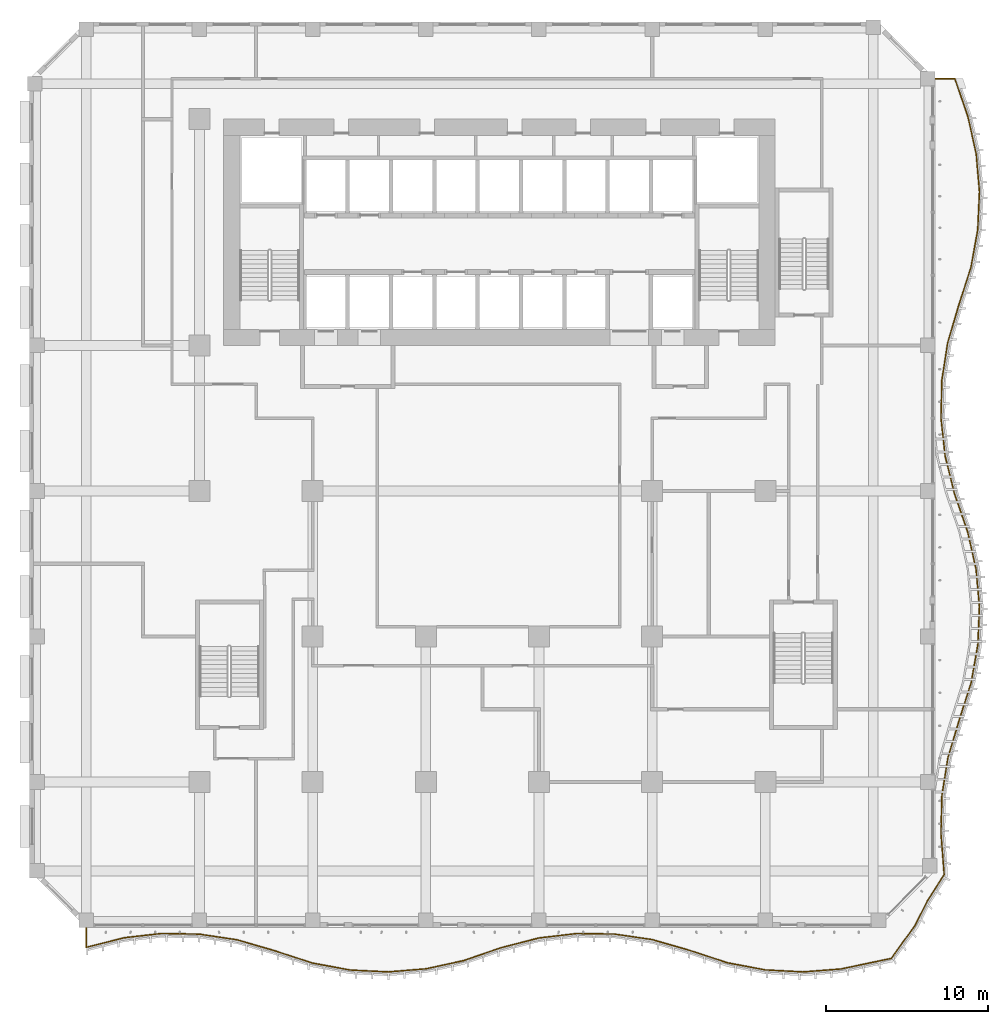
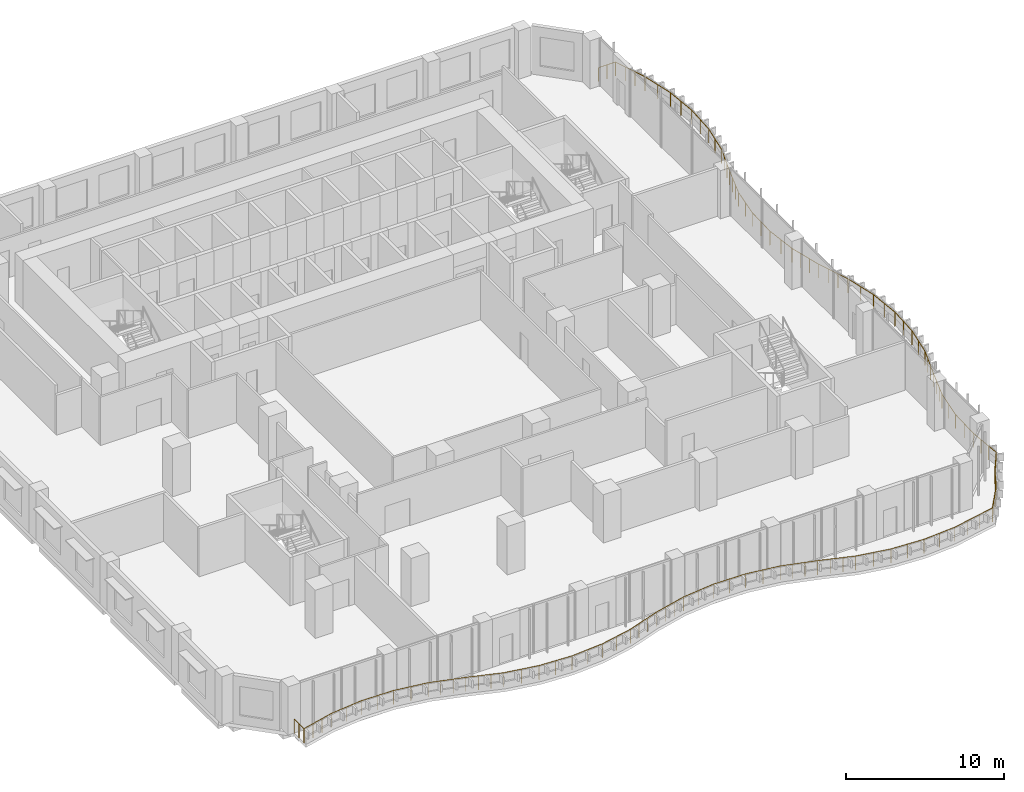
# One storey, part 20 of 24: 1 railing.
"""IFC4 building model written with IfcOpenShell, lengths in metres."""

import ifcopenshell
import ifcopenshell.guid

model = None  # the IFC model being written
_history = None  # IfcOwnerHistory: only IFC2X3 demands one
_inside = {}  # id of a spatial element -> (the spatial element, [elements in it])
_under = {}  # id of a project, library or spatial element -> (it, [spatial elements below it])
_declared = {}  # id of a project -> (the project, [libraries it declares])
_typed = {}  # id of a type object -> (the type object, [elements of that type])
_made_of = {}  # id of a material, layer set ... -> (it, [elements and type objects made of it])


def new_model(schema):
    """Start an empty IFC model of exactly this schema.

    Asked for "IFC4X3", IfcOpenShell would pick the latest addendum, in which some entities
    have other attributes; the version numbers below select the first issue.
    IFC2X3 requires an IfcOwnerHistory on every rooted entity: one is made here for all.
    """
    global model, _history
    if schema == "IFC4X3":
        model = ifcopenshell.file(schema_version=(4, 3, 0, 0))
    else:
        model = ifcopenshell.file(schema=schema)
    _inside.clear()
    _under.clear()
    _declared.clear()
    _typed.clear()
    _made_of.clear()
    _history = None
    if model.schema == "IFC2X3":
        org = make("IfcOrganization", Name="unknown")
        user = make(
            "IfcPersonAndOrganization",
            ThePerson=make("IfcPerson", FamilyName="unknown"),
            TheOrganization=org,
        )
        app = make(
            "IfcApplication",
            ApplicationDeveloper=org,
            Version="unknown",
            ApplicationFullName="unknown",
            ApplicationIdentifier="unknown",
        )
        _history = make(
            "IfcOwnerHistory",
            OwningUser=user,
            OwningApplication=app,
            ChangeAction="ADDED",
            CreationDate=0,
        )
    return model


def make(cls, **values):
    """One entity of the class cls with the attributes given. An attribute that is None is left unset."""
    return model.create_entity(
        cls, **{name: value for name, value in values.items() if value is not None}
    )


def rooted(cls, **values):
    """An entity with a GlobalId (a new one), such as an element, a storey or a relation."""
    return make(cls, GlobalId=ifcopenshell.guid.new(), OwnerHistory=_history, **values)


def si_unit(unit_type, name, prefix=None):
    """IfcSIUnit, for example si_unit("LENGTHUNIT", "METRE", prefix="MILLI")."""
    return make("IfcSIUnit", UnitType=unit_type, Prefix=prefix, Name=name)


def assignment(units):
    """IfcUnitAssignment: the units of a project."""
    return None if units is None else make("IfcUnitAssignment", Units=units)


def point(xyz):
    """IfcCartesianPoint."""
    return None if xyz is None else make("IfcCartesianPoint", Coordinates=xyz)


def direction(xyz):
    """IfcDirection."""
    return None if xyz is None else make("IfcDirection", DirectionRatios=xyz)


def frame(location, z_axis=None, x_axis=None):
    """IfcAxis2Placement3D, a coordinate frame: its origin and axes. An axis left out is left unset."""
    return make(
        "IfcAxis2Placement3D",
        Location=point(location),
        Axis=direction(z_axis),
        RefDirection=direction(x_axis),
    )


def frame_2d(location, x_axis=None):
    """IfcAxis2Placement2D, a coordinate frame in the plane: its origin and x axis."""
    return make(
        "IfcAxis2Placement2D", Location=point(location), RefDirection=direction(x_axis)
    )


def origin():
    """The frame at (0, 0, 0) with its axes left unset."""
    return frame((0.0, 0.0, 0.0))


def origin_2d():
    """The frame at (0, 0) in the plane with its x axis left unset."""
    return frame_2d((0.0, 0.0))


def place(relative_to, where):
    """IfcLocalPlacement: puts the frame where relative to a parent placement (None: the world)."""
    return make(
        "IfcLocalPlacement", PlacementRelTo=relative_to, RelativePlacement=where
    )


def context(
    kind, dimensions, precision=None, world=None, true_north=None, identifier=None
):
    """IfcGeometricRepresentationContext, for example the 3D "Model" context."""
    return make(
        "IfcGeometricRepresentationContext",
        ContextIdentifier=identifier,
        ContextType=kind,
        CoordinateSpaceDimension=dimensions,
        Precision=precision,
        WorldCoordinateSystem=world,
        TrueNorth=true_north,
    )


def subcontext(parent, identifier, kind, view, scale=None):
    """IfcGeometricRepresentationSubContext, for example "Body" below "Model"."""
    return make(
        "IfcGeometricRepresentationSubContext",
        ContextIdentifier=identifier,
        ContextType=kind,
        ParentContext=parent,
        TargetScale=scale,
        TargetView=view,
    )


def project(units=None, contexts=None):
    """IfcProject with its units and contexts."""
    return rooted(
        "IfcProject",
        Name="project",
        RepresentationContexts=contexts,
        UnitsInContext=assignment(units),
    )


def spatial(cls, under=None, at=None, **own):
    """A site, building, storey or space (cls), placed at a placement, below another one or the project."""
    s = rooted(cls, ObjectPlacement=at, **own)
    if under is not None:
        _under.setdefault(under.id(), (under, []))[1].append(s)
    return s


def profile(cls, at=None, kind="AREA", **sizes):
    """A parametric profile (cls). Its sizes go by their IFC names, for example OverallWidth=200.0."""
    return make(cls, ProfileType=kind, Position=at, **sizes)


def circle(**sizes):
    """IfcCircleProfileDef."""
    return profile("IfcCircleProfileDef", **sizes)


def extrude(swept, where, along, depth):
    """IfcExtrudedAreaSolid: the profile swept, set in the frame where, extruded along a direction by depth."""
    return make(
        "IfcExtrudedAreaSolid",
        SweptArea=swept,
        Position=where,
        ExtrudedDirection=direction(along),
        Depth=depth,
    )


def shape(context_of_items, identifier, shape_type, items):
    """IfcShapeRepresentation: the items that make up one representation, for example the "Body"."""
    return make(
        "IfcShapeRepresentation",
        ContextOfItems=context_of_items,
        RepresentationIdentifier=identifier,
        RepresentationType=shape_type,
        Items=items,
    )


def material(Name=None, Category=None):
    """IfcMaterial."""
    return make("IfcMaterial", Name=Name, Category=Category)


def made_of(thing, what):
    """Note that an element or type object is made of a material, layer set ...; save() writes the relation."""
    if what is not None:
        _made_of.setdefault(what.id(), (what, []))[1].append(thing)
    return thing


def type_object(cls, material=None, **own):
    """A type object (cls), such as IfcWallType, which elements share."""
    return made_of(rooted(cls, **own), material)


def element(
    cls,
    number,
    at=None,
    inside=None,
    cuts=None,
    type_object=None,
    material=None,
    context=None,
    identifier="Body",
    shape_type=None,
    held_by="IfcProductDefinitionShape",
    body=None,
    shapes=None,
    **own,
):
    """One element of the class cls, such as IfcWall. Its Tag is "e" and its number.

    at: its placement. inside: the storey or other place that contains it. cuts: it is an
    opening in that element (IfcRelVoidsElement). A single representation is given by context,
    identifier, shape_type and body (its items); several are given by shapes. held_by: the class
    of the entity that holds the representations. save() writes the other relations.
    """
    e = rooted(cls, Tag="e%d" % number, ObjectPlacement=at, **own)
    if body is not None:
        shapes = [shape(context, identifier, shape_type, body)]
    if shapes is not None:
        e.Representation = make(held_by, Representations=shapes)
    if inside is not None:
        _inside.setdefault(inside.id(), (inside, []))[1].append(e)
    if cuts is not None:
        rooted(
            "IfcRelVoidsElement", RelatingBuildingElement=cuts, RelatedOpeningElement=e
        )
    if type_object is not None:
        _typed.setdefault(type_object.id(), (type_object, []))[1].append(e)
    return made_of(e, material)


def aggregate(whole, parts):
    """IfcRelAggregates: a whole, such as a stair, and the parts it consists of."""
    return rooted("IfcRelAggregates", RelatingObject=whole, RelatedObjects=parts)


def save(model, path):
    """Write the relations noted so far, then the file.

    IfcRelAggregates (storeys below a building ...), IfcRelContainedInSpatialStructure (elements
    in a storey), IfcRelDefinesByType, IfcRelAssociatesMaterial and IfcRelDeclares: one each for
    every whole, place, type object, material and project.
    """
    for whole, parts in _under.values():
        aggregate(whole, parts)
    for where, things in _inside.values():
        rooted(
            "IfcRelContainedInSpatialStructure",
            RelatedElements=things,
            RelatingStructure=where,
        )
    for kind, things in _typed.values():
        rooted("IfcRelDefinesByType", RelatedObjects=things, RelatingType=kind)
    for what, things in _made_of.values():
        rooted("IfcRelAssociatesMaterial", RelatedObjects=things, RelatingMaterial=what)
    for by, libraries in _declared.values():
        rooted("IfcRelDeclares", RelatingContext=by, RelatedDefinitions=libraries)
    model.write(path)


model = new_model("IFC4")

# Units and contexts
model_context = context("Model", 3, precision=1e-05, world=origin(), true_north=direction((0.0, 1.0)))
body_context = subcontext(model_context, "Body", "Model", "MODEL_VIEW")
ifc_project = project(units=[si_unit("LENGTHUNIT", "METRE"), si_unit("AREAUNIT", "SQUARE_METRE"), si_unit("VOLUMEUNIT", "CUBIC_METRE"), si_unit("PLANEANGLEUNIT", "RADIAN"), si_unit("MASSUNIT", "GRAM", prefix="KILO")], contexts=[model_context])

# Site, building, storey
site_placement = place(None, origin())
site = spatial("IfcSite", under=ifc_project, at=site_placement, CompositionType="ELEMENT")
building_placement = place(site_placement, origin())
building = spatial("IfcBuilding", under=site, at=building_placement, Name="Kilnfold Tower and Market Hall", CompositionType="ELEMENT")
storey_placement = place(building_placement, frame((0.0, 0.0, 35.0)))
storey = spatial("IfcBuildingStorey", under=building, at=storey_placement, Name="L07", CompositionType="ELEMENT", Elevation=35.0)

# Railing
ifc_material = material(Name="Stainless steel and laminated glass", Category="steel")
railing_type = type_object("IfcRailingType", Name="GUARD 1100", PredefinedType="GUARDRAIL", material=ifc_material)
railing_placement = place(storey_placement, frame((-24.5, -28.0, 0.0)))
element("IfcRailing", 1, at=railing_placement, inside=storey, type_object=railing_type, Name="Guard balcony L07", PredefinedType="GUARDRAIL", context=body_context, shape_type="SweptSolid", body=[
    extrude(circle(Radius=0.02490234375, at=origin_2d()), frame((0.0, 0.0, 1.0751953125), z_axis=(0.0, -1.0, 0.0), x_axis=(1.0, 0.0, 0.0)), (0.0, 0.0, 1.0), 1.223388671875),
    extrude(circle(Radius=0.02490234375, at=origin_2d()), frame((0.0, -1.223388671875, 1.0751953125), z_axis=(0.96974127328, 0.244134927646, 0.0), x_axis=(-0.244134927646, 0.96974127328, 0.0)), (0.0, 0.0, 1.0), 2.406005859375),
    extrude(circle(Radius=0.02490234375, at=origin_2d()), frame((2.333251953125, -0.635986328125, 1.0751953125), z_axis=(0.993571815271, 0.113203568407, 0.0), x_axis=(-0.113203568407, 0.993571815271, 0.0)), (0.0, 0.0, 1.0), 2.3486328125),
    extrude(circle(Radius=0.02490234375, at=origin_2d()), frame((4.666748046875, -0.3701171875, 1.0751953125), z_axis=(0.999839965068, -0.017889780687, 0.0), x_axis=(0.017889780687, 0.999839965068, 0.0)), (0.0, 0.0, 1.0), 2.333740234375),
    extrude(circle(Radius=0.02490234375, at=origin_2d()), frame((7.0, -0.411865234375, 1.0751953125), z_axis=(0.988853474468, -0.148891927358, 0.0), x_axis=(0.148891927358, 0.988853474468, 0.0)), (0.0, 0.0, 1.0), 2.359619140625),
    extrude(circle(Radius=0.02490234375, at=origin_2d()), frame((9.333251953125, -0.76318359375, 1.0751953125), z_axis=(0.960047235361, -0.279837999342, 0.0), x_axis=(0.279837999342, 0.960047235361, 0.0)), (0.0, 0.0, 1.0), 2.4306640625),
    extrude(circle(Radius=0.02490234375, at=origin_2d()), frame((11.666748046875, -1.443359375, 1.0751953125), z_axis=(0.950829875338, -0.309713655114, 0.0), x_axis=(0.309713655114, 0.950829875338, 0.0)), (0.0, 0.0, 1.0), 2.453857421875),
    extrude(circle(Radius=0.02490234375, at=origin_2d()), frame((14.0, -2.203369140625, 1.0751953125), z_axis=(0.983553882776, -0.180614948652, 0.0), x_axis=(0.180614948652, 0.983553882776, 0.0)), (0.0, 0.0, 1.0), 2.372314453125),
    extrude(circle(Radius=0.02490234375, at=origin_2d()), frame((16.333251953125, -2.6318359375, 1.0751953125), z_axis=(0.998767407187, -0.049635333586, 0.0), x_axis=(0.049635333586, 0.998767407187, 0.0)), (0.0, 0.0, 1.0), 2.33642578125),
    extrude(circle(Radius=0.02490234375, at=origin_2d()), frame((18.666748046875, -2.747802734375, 1.0751953125), z_axis=(0.996685996413, 0.081345095449, 0.0), x_axis=(-0.081345095449, 0.996685996413, 0.0)), (0.0, 0.0, 1.0), 2.341064453125),
    extrude(circle(Radius=0.02490234375, at=origin_2d()), frame((21.0, -2.557373046875, 1.0751953125), z_axis=(0.97716805797, 0.212467848118, 0.0), x_axis=(-0.212467848118, 0.97716805797, 0.0)), (0.0, 0.0, 1.0), 2.3876953125),
    extrude(circle(Radius=0.02490234375, at=origin_2d()), frame((23.333251953125, -2.050048828125, 1.0751953125), z_axis=(0.945521113072, 0.325560785009, 0.0), x_axis=(-0.325560785009, 0.945521113072, 0.0)), (0.0, 0.0, 1.0), 2.468017578125),
    extrude(circle(Radius=0.02490234375, at=origin_2d()), frame((25.666748046875, -1.24658203125, 1.0751953125), z_axis=(0.96870074777, 0.248231467122, 0.0), x_axis=(-0.248231467122, 0.96870074777, 0.0)), (0.0, 0.0, 1.0), 2.40869140625),
    extrude(circle(Radius=0.02490234375, at=origin_2d()), frame((28.0, -0.648681640625, 1.0751953125), z_axis=(0.993130728786, 0.117010065984, 0.0), x_axis=(-0.117010065984, 0.993130728786, 0.0)), (0.0, 0.0, 1.0), 2.349365234375),
    extrude(circle(Radius=0.02490234375, at=origin_2d()), frame((30.333251953125, -0.373779296875, 1.0751953125), z_axis=(0.999904649781, -0.013809103763, 0.0), x_axis=(0.013809103763, 0.999904649781, 0.0)), (0.0, 0.0, 1.0), 2.333740234375),
    extrude(circle(Radius=0.02490234375, at=origin_2d()), frame((32.666748046875, -0.406005859375, 1.0751953125), z_axis=(0.989440070297, -0.144942565493, 0.0), x_axis=(0.144942565493, 0.989440070297, 0.0)), (0.0, 0.0, 1.0), 2.358154296875),
    extrude(circle(Radius=0.02490234375, at=origin_2d()), frame((35.0, -0.747802734375, 1.0751953125), z_axis=(0.96119306428, -0.275876590491, 0.0), x_axis=(0.275876590491, 0.96119306428, 0.0)), (0.0, 0.0, 1.0), 2.427490234375),
    extrude(circle(Radius=0.02490234375, at=origin_2d()), frame((37.333251953125, -1.41748046875, 1.0751953125), z_axis=(0.949898615679, -0.312558186473, 0.0), x_axis=(0.312558186473, 0.949898615679, 0.0)), (0.0, 0.0, 1.0), 2.45654296875),
    extrude(circle(Radius=0.02490234375, at=origin_2d()), frame((39.666748046875, -2.185302734375, 1.0751953125), z_axis=(0.982815094306, -0.184592769099, 0.0), x_axis=(0.184592769099, 0.982815094306, 0.0)), (0.0, 0.0, 1.0), 2.3740234375),
    extrude(circle(Radius=0.02490234375, at=origin_2d()), frame((42.0, -2.62353515625, 1.0751953125), z_axis=(0.998562445583, -0.053600767457, 0.0), x_axis=(0.053600767457, 0.998562445583, 0.0)), (0.0, 0.0, 1.0), 2.336669921875),
    extrude(circle(Radius=0.02490234375, at=origin_2d()), frame((44.333251953125, -2.748779296875, 1.0751953125), z_axis=(0.997000242358, 0.077398428524, 0.0), x_axis=(-0.077398428524, 0.997000242358, 0.0)), (0.0, 0.0, 1.0), 2.340576171875),
    extrude(circle(Radius=0.02490234375, at=origin_2d()), frame((46.666748046875, -2.567626953125, 1.0751953125), z_axis=(0.978736758256, 0.205120350133, 0.0), x_axis=(-0.205120350133, 0.978736758256, 0.0)), (0.0, 0.0, 1.0), 3.193359375),
    extrude(circle(Radius=0.02490234375, at=origin_2d()), frame((49.792236328125, -1.91259765625, 1.0751953125), z_axis=(0.583969397826, 0.811775672463, 0.0), x_axis=(-0.811775672463, 0.583969397826, 0.0)), (0.0, 0.0, 1.0), 2.474609375),
    extrude(circle(Radius=0.02490234375, at=origin_2d()), frame((51.2373046875, 0.09619140625, 1.0751953125), z_axis=(0.453674913067, 0.891167253243, 0.0), x_axis=(-0.891167253243, 0.453674913067, 0.0)), (0.0, 0.0, 1.0), 1.73486328125),
    extrude(circle(Radius=0.02490234375, at=origin_2d()), frame((52.0244140625, 1.642333984375, 1.0751953125), z_axis=(0.5392081706, 0.842172517218, 0.0), x_axis=(-0.842172517218, 0.5392081706, 0.0)), (0.0, 0.0, 1.0), 1.928466796875),
    extrude(circle(Radius=0.02490234375, at=origin_2d()), frame((53.064208984375, 3.266357421875, 1.0751953125), z_axis=(-0.077755130235, 0.996972486943, 0.0), x_axis=(-0.996972486943, -0.077755130235, 0.0)), (0.0, 0.0, 1.0), 2.57470703125),
    extrude(circle(Radius=0.02490234375, at=origin_2d()), frame((52.864013671875, 5.833251953125, 1.0751953125), z_axis=(0.02583360174, 0.999666256818, 0.0), x_axis=(-0.999666256818, 0.02583360174, 0.0)), (0.0, 0.0, 1.0), 2.334228515625),
    extrude(circle(Radius=0.02490234375, at=origin_2d()), frame((52.92431640625, 8.166748046875, 1.0751953125), z_axis=(0.15676914423, 0.98763527449, 0.0), x_axis=(-0.98763527449, 0.15676914423, 0.0)), (0.0, 0.0, 1.0), 2.362548828125),
    extrude(circle(Radius=0.02490234375, at=origin_2d()), frame((53.294677734375, 10.5, 1.0751953125), z_axis=(0.287890235925, 0.957663412718, 0.0), x_axis=(-0.957663412718, 0.287890235925, 0.0)), (0.0, 0.0, 1.0), 2.436279296875),
    extrude(circle(Radius=0.02490234375, at=origin_2d()), frame((53.99609375, 12.833251953125, 1.0751953125), z_axis=(0.303187196471, 0.952931017386, 0.0), x_axis=(-0.952931017386, 0.303187196471, 0.0)), (0.0, 0.0, 1.0), 2.44873046875),
    extrude(circle(Radius=0.02490234375, at=origin_2d()), frame((54.738525390625, 15.166748046875, 1.0751953125), z_axis=(0.172732820859, 0.984968716558, 0.0), x_axis=(-0.984968716558, 0.172732820859, 0.0)), (0.0, 0.0, 1.0), 2.368896484375),
    extrude(circle(Radius=0.02490234375, at=origin_2d()), frame((55.147705078125, 17.5, 1.0751953125), z_axis=(0.041713165348, 0.999129627144, 0.0), x_axis=(-0.999129627144, 0.041713165348, 0.0)), (0.0, 0.0, 1.0), 2.335205078125),
    extrude(circle(Radius=0.02490234375, at=origin_2d()), frame((55.2451171875, 19.833251953125, 1.0751953125), z_axis=(-0.089408219928, 0.995995065354, 0.0), x_axis=(-0.995995065354, -0.089408219928, 0.0)), (0.0, 0.0, 1.0), 2.3427734375),
    extrude(circle(Radius=0.02490234375, at=origin_2d()), frame((55.03564453125, 22.166748046875, 1.0751953125), z_axis=(-0.220354849569, 0.97541977644, 0.0), x_axis=(-0.97541977644, -0.220354849569, 0.0)), (0.0, 0.0, 1.0), 2.39208984375),
    extrude(circle(Radius=0.02490234375, at=origin_2d()), frame((54.508544921875, 24.5, 1.0751953125), z_axis=(-0.327270166885, 0.944930811153, 0.0), x_axis=(-0.944930811153, -0.327270166885, 0.0)), (0.0, 0.0, 1.0), 2.46923828125),
    extrude(circle(Radius=0.02490234375, at=origin_2d()), frame((53.700439453125, 26.833251953125, 1.0751953125), z_axis=(-0.240097323203, 0.970748821988, 0.0), x_axis=(-0.970748821988, -0.240097323203, 0.0)), (0.0, 0.0, 1.0), 2.40380859375),
    extrude(circle(Radius=0.02490234375, at=origin_2d()), frame((53.123291015625, 29.166748046875, 1.0751953125), z_axis=(-0.109209965363, 0.994018703781, 0.0), x_axis=(-0.994018703781, -0.109209965363, 0.0)), (0.0, 0.0, 1.0), 2.347412109375),
    extrude(circle(Radius=0.02490234375, at=origin_2d()), frame((52.866943359375, 31.5, 1.0751953125), z_axis=(0.021863559845, 0.999760963806, 0.0), x_axis=(-0.999760963806, 0.021863559845, 0.0)), (0.0, 0.0, 1.0), 2.333740234375),
    extrude(circle(Radius=0.02490234375, at=origin_2d()), frame((52.91796875, 33.833251953125, 1.0751953125), z_axis=(0.152818560385, 0.988254262628, 0.0), x_axis=(-0.988254262628, 0.152818560385, 0.0)), (0.0, 0.0, 1.0), 2.361328125),
    extrude(circle(Radius=0.02490234375, at=origin_2d()), frame((53.27880859375, 36.166748046875, 1.0751953125), z_axis=(0.283838945335, 0.958871969093, 0.0), x_axis=(-0.958871969093, 0.283838945335, 0.0)), (0.0, 0.0, 1.0), 2.433349609375),
    extrude(circle(Radius=0.02490234375, at=origin_2d()), frame((53.969482421875, 38.5, 1.0751953125), z_axis=(0.306650659019, 0.951822133239, 0.0), x_axis=(-0.951822133239, 0.306650659019, 0.0)), (0.0, 0.0, 1.0), 2.451416015625),
    extrude(circle(Radius=0.02490234375, at=origin_2d()), frame((54.72119140625, 40.833251953125, 1.0751953125), z_axis=(0.176610342499, 0.984280847585, 0.0), x_axis=(-0.984280847585, 0.176610342499, 0.0)), (0.0, 0.0, 1.0), 2.370849609375),
    extrude(circle(Radius=0.02490234375, at=origin_2d()), frame((55.139892578125, 43.166748046875, 1.0751953125), z_axis=(0.045677918569, 0.998956219138, 0.0), x_axis=(-0.998956219138, 0.045677918569, 0.0)), (0.0, 0.0, 1.0), 2.335693359375),
    extrude(circle(Radius=0.02490234375, at=origin_2d()), frame((55.24658203125, 45.5, 1.0751953125), z_axis=(-0.085383399696, 0.996348169595, 0.0), x_axis=(-0.996348169595, -0.085383399696, 0.0)), (0.0, 0.0, 1.0), 2.341796875),
    extrude(circle(Radius=0.02490234375, at=origin_2d()), frame((55.046630859375, 47.833251953125, 1.0751953125), z_axis=(-0.216346381105, 0.976316671671, 0.0), x_axis=(-0.976316671671, -0.216346381105, 0.0)), (0.0, 0.0, 1.0), 2.39013671875),
    extrude(circle(Radius=0.02490234375, at=origin_2d()), frame((54.529541015625, 50.166748046875, 1.0751953125), z_axis=(-0.326563626531, 0.945175220701, 0.0), x_axis=(-0.945175220701, -0.326563626531, 0.0)), (0.0, 0.0, 1.0), 2.468505859375),
    extrude(circle(Radius=0.02490234375, at=origin_2d()), frame((53.723388671875, 52.5, 1.0751953125), z_axis=(-1.0, 0.0, 0.0), x_axis=(0.0, -1.0, 0.0)), (0.0, 0.0, 1.0), 1.223388671875),
    extrude(circle(Radius=0.02490234375, at=origin_2d()), origin(), (0.0, 0.0, 1.0), 1.050048828125),
    extrude(circle(Radius=0.02490234375, at=origin_2d()), frame((0.0, -0.61181640625, 0.0)), (0.0, 0.0, 1.0), 1.050048828125),
    extrude(circle(Radius=0.02490234375, at=origin_2d()), frame((0.0, -1.223388671875, 0.0)), (0.0, 0.0, 1.0), 1.050048828125),
    extrude(circle(Radius=0.02490234375, at=origin_2d()), frame((0.77783203125, -1.027587890625, 0.0)), (0.0, 0.0, 1.0), 1.050048828125),
    extrude(circle(Radius=0.02490234375, at=origin_2d()), frame((1.555419921875, -0.831787109375, 0.0)), (0.0, 0.0, 1.0), 1.050048828125),
    extrude(circle(Radius=0.02490234375, at=origin_2d()), frame((2.333251953125, -0.635986328125, 0.0)), (0.0, 0.0, 1.0), 1.050048828125),
    extrude(circle(Radius=0.02490234375, at=origin_2d()), frame((3.5, -0.5029296875, 0.0)), (0.0, 0.0, 1.0), 1.050048828125),
    extrude(circle(Radius=0.02490234375, at=origin_2d()), frame((4.666748046875, -0.3701171875, 0.0)), (0.0, 0.0, 1.0), 1.050048828125),
    extrude(circle(Radius=0.02490234375, at=origin_2d()), frame((5.83349609375, -0.39111328125, 0.0)), (0.0, 0.0, 1.0), 1.050048828125),
    extrude(circle(Radius=0.02490234375, at=origin_2d()), frame((7.0, -0.411865234375, 0.0)), (0.0, 0.0, 1.0), 1.050048828125),
    extrude(circle(Radius=0.02490234375, at=origin_2d()), frame((8.16650390625, -0.58740234375, 0.0)), (0.0, 0.0, 1.0), 1.050048828125),
    extrude(circle(Radius=0.02490234375, at=origin_2d()), frame((9.333251953125, -0.76318359375, 0.0)), (0.0, 0.0, 1.0), 1.050048828125),
    extrude(circle(Radius=0.02490234375, at=origin_2d()), frame((10.111083984375, -0.989990234375, 0.0)), (0.0, 0.0, 1.0), 1.050048828125),
    extrude(circle(Radius=0.02490234375, at=origin_2d()), frame((10.888916015625, -1.216552734375, 0.0)), (0.0, 0.0, 1.0), 1.050048828125),
    extrude(circle(Radius=0.02490234375, at=origin_2d()), frame((11.666748046875, -1.443359375, 0.0)), (0.0, 0.0, 1.0), 1.050048828125),
    extrude(circle(Radius=0.02490234375, at=origin_2d()), frame((12.444580078125, -1.69677734375, 0.0)), (0.0, 0.0, 1.0), 1.050048828125),
    extrude(circle(Radius=0.02490234375, at=origin_2d()), frame((13.22216796875, -1.949951171875, 0.0)), (0.0, 0.0, 1.0), 1.050048828125),
    extrude(circle(Radius=0.02490234375, at=origin_2d()), frame((14.0, -2.203369140625, 0.0)), (0.0, 0.0, 1.0), 1.050048828125),
    extrude(circle(Radius=0.02490234375, at=origin_2d()), frame((15.16650390625, -2.41748046875, 0.0)), (0.0, 0.0, 1.0), 1.050048828125),
    extrude(circle(Radius=0.02490234375, at=origin_2d()), frame((16.333251953125, -2.6318359375, 0.0)), (0.0, 0.0, 1.0), 1.050048828125),
    extrude(circle(Radius=0.02490234375, at=origin_2d()), frame((17.5, -2.68994140625, 0.0)), (0.0, 0.0, 1.0), 1.050048828125),
    extrude(circle(Radius=0.02490234375, at=origin_2d()), frame((18.666748046875, -2.747802734375, 0.0)), (0.0, 0.0, 1.0), 1.050048828125),
    extrude(circle(Radius=0.02490234375, at=origin_2d()), frame((19.83349609375, -2.652587890625, 0.0)), (0.0, 0.0, 1.0), 1.050048828125),
    extrude(circle(Radius=0.02490234375, at=origin_2d()), frame((21.0, -2.557373046875, 0.0)), (0.0, 0.0, 1.0), 1.050048828125),
    extrude(circle(Radius=0.02490234375, at=origin_2d()), frame((22.16650390625, -2.3037109375, 0.0)), (0.0, 0.0, 1.0), 1.050048828125),
    extrude(circle(Radius=0.02490234375, at=origin_2d()), frame((23.333251953125, -2.050048828125, 0.0)), (0.0, 0.0, 1.0), 1.050048828125),
    extrude(circle(Radius=0.02490234375, at=origin_2d()), frame((24.111083984375, -1.7822265625, 0.0)), (0.0, 0.0, 1.0), 1.050048828125),
    extrude(circle(Radius=0.02490234375, at=origin_2d()), frame((24.888916015625, -1.514404296875, 0.0)), (0.0, 0.0, 1.0), 1.050048828125),
    extrude(circle(Radius=0.02490234375, at=origin_2d()), frame((25.666748046875, -1.24658203125, 0.0)), (0.0, 0.0, 1.0), 1.050048828125),
    extrude(circle(Radius=0.02490234375, at=origin_2d()), frame((26.444580078125, -1.04736328125, 0.0)), (0.0, 0.0, 1.0), 1.050048828125),
    extrude(circle(Radius=0.02490234375, at=origin_2d()), frame((27.22216796875, -0.847900390625, 0.0)), (0.0, 0.0, 1.0), 1.050048828125),
    extrude(circle(Radius=0.02490234375, at=origin_2d()), frame((28.0, -0.648681640625, 0.0)), (0.0, 0.0, 1.0), 1.050048828125),
    extrude(circle(Radius=0.02490234375, at=origin_2d()), frame((29.16650390625, -0.51123046875, 0.0)), (0.0, 0.0, 1.0), 1.050048828125),
    extrude(circle(Radius=0.02490234375, at=origin_2d()), frame((30.333251953125, -0.373779296875, 0.0)), (0.0, 0.0, 1.0), 1.050048828125),
    extrude(circle(Radius=0.02490234375, at=origin_2d()), frame((31.5, -0.389892578125, 0.0)), (0.0, 0.0, 1.0), 1.050048828125),
    extrude(circle(Radius=0.02490234375, at=origin_2d()), frame((32.666748046875, -0.406005859375, 0.0)), (0.0, 0.0, 1.0), 1.050048828125),
    extrude(circle(Radius=0.02490234375, at=origin_2d()), frame((33.83349609375, -0.576904296875, 0.0)), (0.0, 0.0, 1.0), 1.050048828125),
    extrude(circle(Radius=0.02490234375, at=origin_2d()), frame((35.0, -0.747802734375, 0.0)), (0.0, 0.0, 1.0), 1.050048828125),
    extrude(circle(Radius=0.02490234375, at=origin_2d()), frame((35.77783203125, -0.970947265625, 0.0)), (0.0, 0.0, 1.0), 1.050048828125),
    extrude(circle(Radius=0.02490234375, at=origin_2d()), frame((36.555419921875, -1.1943359375, 0.0)), (0.0, 0.0, 1.0), 1.050048828125),
    extrude(circle(Radius=0.02490234375, at=origin_2d()), frame((37.333251953125, -1.41748046875, 0.0)), (0.0, 0.0, 1.0), 1.050048828125),
    extrude(circle(Radius=0.02490234375, at=origin_2d()), frame((38.111083984375, -1.67333984375, 0.0)), (0.0, 0.0, 1.0), 1.050048828125),
    extrude(circle(Radius=0.02490234375, at=origin_2d()), frame((38.888916015625, -1.929443359375, 0.0)), (0.0, 0.0, 1.0), 1.050048828125),
    extrude(circle(Radius=0.02490234375, at=origin_2d()), frame((39.666748046875, -2.185302734375, 0.0)), (0.0, 0.0, 1.0), 1.050048828125),
    extrude(circle(Radius=0.02490234375, at=origin_2d()), frame((40.83349609375, -2.404296875, 0.0)), (0.0, 0.0, 1.0), 1.050048828125),
    extrude(circle(Radius=0.02490234375, at=origin_2d()), frame((42.0, -2.62353515625, 0.0)), (0.0, 0.0, 1.0), 1.050048828125),
    extrude(circle(Radius=0.02490234375, at=origin_2d()), frame((43.16650390625, -2.68603515625, 0.0)), (0.0, 0.0, 1.0), 1.050048828125),
    extrude(circle(Radius=0.02490234375, at=origin_2d()), frame((44.333251953125, -2.748779296875, 0.0)), (0.0, 0.0, 1.0), 1.050048828125),
    extrude(circle(Radius=0.02490234375, at=origin_2d()), frame((45.5, -2.658203125, 0.0)), (0.0, 0.0, 1.0), 1.050048828125),
    extrude(circle(Radius=0.02490234375, at=origin_2d()), frame((46.666748046875, -2.567626953125, 0.0)), (0.0, 0.0, 1.0), 1.050048828125),
    extrude(circle(Radius=0.02490234375, at=origin_2d()), frame((47.70849609375, -2.349365234375, 0.0)), (0.0, 0.0, 1.0), 1.050048828125),
    extrude(circle(Radius=0.02490234375, at=origin_2d()), frame((48.75048828125, -2.130859375, 0.0)), (0.0, 0.0, 1.0), 1.050048828125),
    extrude(circle(Radius=0.02490234375, at=origin_2d()), frame((49.792236328125, -1.91259765625, 0.0)), (0.0, 0.0, 1.0), 1.050048828125),
    extrude(circle(Radius=0.02490234375, at=origin_2d()), frame((50.27392578125, -1.242919921875, 0.0)), (0.0, 0.0, 1.0), 1.050048828125),
    extrude(circle(Radius=0.02490234375, at=origin_2d()), frame((50.755615234375, -0.573486328125, 0.0)), (0.0, 0.0, 1.0), 1.050048828125),
    extrude(circle(Radius=0.02490234375, at=origin_2d()), frame((51.2373046875, 0.09619140625, 0.0)), (0.0, 0.0, 1.0), 1.050048828125),
    extrude(circle(Radius=0.02490234375, at=origin_2d()), frame((51.630859375, 0.869140625, 0.0)), (0.0, 0.0, 1.0), 1.050048828125),
    extrude(circle(Radius=0.02490234375, at=origin_2d()), frame((52.0244140625, 1.642333984375, 0.0)), (0.0, 0.0, 1.0), 1.050048828125),
    extrude(circle(Radius=0.02490234375, at=origin_2d()), frame((52.54443359375, 2.454345703125, 0.0)), (0.0, 0.0, 1.0), 1.050048828125),
    extrude(circle(Radius=0.02490234375, at=origin_2d()), frame((53.064208984375, 3.266357421875, 0.0)), (0.0, 0.0, 1.0), 1.050048828125),
    extrude(circle(Radius=0.02490234375, at=origin_2d()), frame((52.99755859375, 4.1220703125, 0.0)), (0.0, 0.0, 1.0), 1.050048828125),
    extrude(circle(Radius=0.02490234375, at=origin_2d()), frame((52.9306640625, 4.9775390625, 0.0)), (0.0, 0.0, 1.0), 1.050048828125),
    extrude(circle(Radius=0.02490234375, at=origin_2d()), frame((52.864013671875, 5.833251953125, 0.0)), (0.0, 0.0, 1.0), 1.050048828125),
    extrude(circle(Radius=0.02490234375, at=origin_2d()), frame((52.89404296875, 7.0, 0.0)), (0.0, 0.0, 1.0), 1.050048828125),
    extrude(circle(Radius=0.02490234375, at=origin_2d()), frame((52.92431640625, 8.166748046875, 0.0)), (0.0, 0.0, 1.0), 1.050048828125),
    extrude(circle(Radius=0.02490234375, at=origin_2d()), frame((53.109375, 9.33349609375, 0.0)), (0.0, 0.0, 1.0), 1.050048828125),
    extrude(circle(Radius=0.02490234375, at=origin_2d()), frame((53.294677734375, 10.5, 0.0)), (0.0, 0.0, 1.0), 1.050048828125),
    extrude(circle(Radius=0.02490234375, at=origin_2d()), frame((53.528564453125, 11.27783203125, 0.0)), (0.0, 0.0, 1.0), 1.050048828125),
    extrude(circle(Radius=0.02490234375, at=origin_2d()), frame((53.76220703125, 12.055419921875, 0.0)), (0.0, 0.0, 1.0), 1.050048828125),
    extrude(circle(Radius=0.02490234375, at=origin_2d()), frame((53.99609375, 12.833251953125, 0.0)), (0.0, 0.0, 1.0), 1.050048828125),
    extrude(circle(Radius=0.02490234375, at=origin_2d()), frame((54.24365234375, 13.611083984375, 0.0)), (0.0, 0.0, 1.0), 1.050048828125),
    extrude(circle(Radius=0.02490234375, at=origin_2d()), frame((54.490966796875, 14.388916015625, 0.0)), (0.0, 0.0, 1.0), 1.050048828125),
    extrude(circle(Radius=0.02490234375, at=origin_2d()), frame((54.738525390625, 15.166748046875, 0.0)), (0.0, 0.0, 1.0), 1.050048828125),
    extrude(circle(Radius=0.02490234375, at=origin_2d()), frame((54.943115234375, 16.33349609375, 0.0)), (0.0, 0.0, 1.0), 1.050048828125),
    extrude(circle(Radius=0.02490234375, at=origin_2d()), frame((55.147705078125, 17.5, 0.0)), (0.0, 0.0, 1.0), 1.050048828125),
    extrude(circle(Radius=0.02490234375, at=origin_2d()), frame((55.1962890625, 18.66650390625, 0.0)), (0.0, 0.0, 1.0), 1.050048828125),
    extrude(circle(Radius=0.02490234375, at=origin_2d()), frame((55.2451171875, 19.833251953125, 0.0)), (0.0, 0.0, 1.0), 1.050048828125),
    extrude(circle(Radius=0.02490234375, at=origin_2d()), frame((55.140380859375, 21.0, 0.0)), (0.0, 0.0, 1.0), 1.050048828125),
    extrude(circle(Radius=0.02490234375, at=origin_2d()), frame((55.03564453125, 22.166748046875, 0.0)), (0.0, 0.0, 1.0), 1.050048828125),
    extrude(circle(Radius=0.02490234375, at=origin_2d()), frame((54.77197265625, 23.33349609375, 0.0)), (0.0, 0.0, 1.0), 1.050048828125),
    extrude(circle(Radius=0.02490234375, at=origin_2d()), frame((54.508544921875, 24.5, 0.0)), (0.0, 0.0, 1.0), 1.050048828125),
    extrude(circle(Radius=0.02490234375, at=origin_2d()), frame((54.2392578125, 25.27783203125, 0.0)), (0.0, 0.0, 1.0), 1.050048828125),
    extrude(circle(Radius=0.02490234375, at=origin_2d()), frame((53.9697265625, 26.055419921875, 0.0)), (0.0, 0.0, 1.0), 1.050048828125),
    extrude(circle(Radius=0.02490234375, at=origin_2d()), frame((53.700439453125, 26.833251953125, 0.0)), (0.0, 0.0, 1.0), 1.050048828125),
    extrude(circle(Radius=0.02490234375, at=origin_2d()), frame((53.508056640625, 27.611083984375, 0.0)), (0.0, 0.0, 1.0), 1.050048828125),
    extrude(circle(Radius=0.02490234375, at=origin_2d()), frame((53.315673828125, 28.388916015625, 0.0)), (0.0, 0.0, 1.0), 1.050048828125),
    extrude(circle(Radius=0.02490234375, at=origin_2d()), frame((53.123291015625, 29.166748046875, 0.0)), (0.0, 0.0, 1.0), 1.050048828125),
    extrude(circle(Radius=0.02490234375, at=origin_2d()), frame((52.9951171875, 30.33349609375, 0.0)), (0.0, 0.0, 1.0), 1.050048828125),
    extrude(circle(Radius=0.02490234375, at=origin_2d()), frame((52.866943359375, 31.5, 0.0)), (0.0, 0.0, 1.0), 1.050048828125),
    extrude(circle(Radius=0.02490234375, at=origin_2d()), frame((52.892578125, 32.66650390625, 0.0)), (0.0, 0.0, 1.0), 1.050048828125),
    extrude(circle(Radius=0.02490234375, at=origin_2d()), frame((52.91796875, 33.833251953125, 0.0)), (0.0, 0.0, 1.0), 1.050048828125),
    extrude(circle(Radius=0.02490234375, at=origin_2d()), frame((53.098388671875, 35.0, 0.0)), (0.0, 0.0, 1.0), 1.050048828125),
    extrude(circle(Radius=0.02490234375, at=origin_2d()), frame((53.27880859375, 36.166748046875, 0.0)), (0.0, 0.0, 1.0), 1.050048828125),
    extrude(circle(Radius=0.02490234375, at=origin_2d()), frame((53.509033203125, 36.944580078125, 0.0)), (0.0, 0.0, 1.0), 1.050048828125),
    extrude(circle(Radius=0.02490234375, at=origin_2d()), frame((53.7392578125, 37.72216796875, 0.0)), (0.0, 0.0, 1.0), 1.050048828125),
    extrude(circle(Radius=0.02490234375, at=origin_2d()), frame((53.969482421875, 38.5, 0.0)), (0.0, 0.0, 1.0), 1.050048828125),
    extrude(circle(Radius=0.02490234375, at=origin_2d()), frame((54.219970703125, 39.27783203125, 0.0)), (0.0, 0.0, 1.0), 1.050048828125),
    extrude(circle(Radius=0.02490234375, at=origin_2d()), frame((54.470703125, 40.055419921875, 0.0)), (0.0, 0.0, 1.0), 1.050048828125),
    extrude(circle(Radius=0.02490234375, at=origin_2d()), frame((54.72119140625, 40.833251953125, 0.0)), (0.0, 0.0, 1.0), 1.050048828125),
    extrude(circle(Radius=0.02490234375, at=origin_2d()), frame((54.9306640625, 42.0, 0.0)), (0.0, 0.0, 1.0), 1.050048828125),
    extrude(circle(Radius=0.02490234375, at=origin_2d()), frame((55.139892578125, 43.166748046875, 0.0)), (0.0, 0.0, 1.0), 1.050048828125),
    extrude(circle(Radius=0.02490234375, at=origin_2d()), frame((55.193359375, 44.33349609375, 0.0)), (0.0, 0.0, 1.0), 1.050048828125),
    extrude(circle(Radius=0.02490234375, at=origin_2d()), frame((55.24658203125, 45.5, 0.0)), (0.0, 0.0, 1.0), 1.050048828125),
    extrude(circle(Radius=0.02490234375, at=origin_2d()), frame((55.146484375, 46.66650390625, 0.0)), (0.0, 0.0, 1.0), 1.050048828125),
    extrude(circle(Radius=0.02490234375, at=origin_2d()), frame((55.046630859375, 47.833251953125, 0.0)), (0.0, 0.0, 1.0), 1.050048828125),
    extrude(circle(Radius=0.02490234375, at=origin_2d()), frame((54.7880859375, 49.0, 0.0)), (0.0, 0.0, 1.0), 1.050048828125),
    extrude(circle(Radius=0.02490234375, at=origin_2d()), frame((54.529541015625, 50.166748046875, 0.0)), (0.0, 0.0, 1.0), 1.050048828125),
    extrude(circle(Radius=0.02490234375, at=origin_2d()), frame((54.2607421875, 50.944580078125, 0.0)), (0.0, 0.0, 1.0), 1.050048828125),
    extrude(circle(Radius=0.02490234375, at=origin_2d()), frame((53.9921875, 51.72216796875, 0.0)), (0.0, 0.0, 1.0), 1.050048828125),
    extrude(circle(Radius=0.02490234375, at=origin_2d()), frame((53.723388671875, 52.5, 0.0)), (0.0, 0.0, 1.0), 1.050048828125),
    extrude(circle(Radius=0.02490234375, at=origin_2d()), frame((53.11181640625, 52.5, 0.0)), (0.0, 0.0, 1.0), 1.050048828125),
    extrude(circle(Radius=0.02490234375, at=origin_2d()), frame((52.5, 52.5, 0.0)), (0.0, 0.0, 1.0), 1.050048828125),
])

save(model, "model.ifc")
